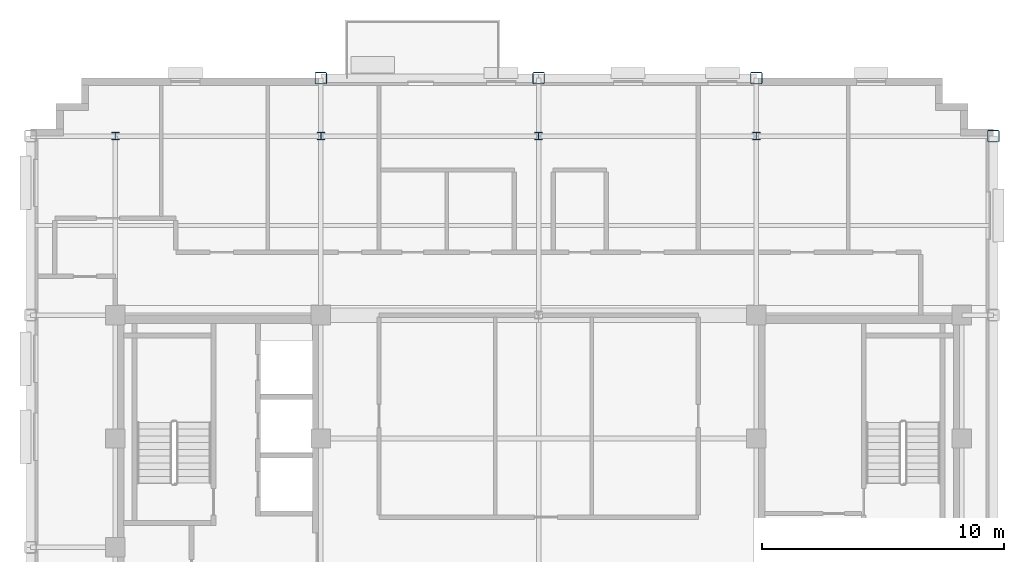
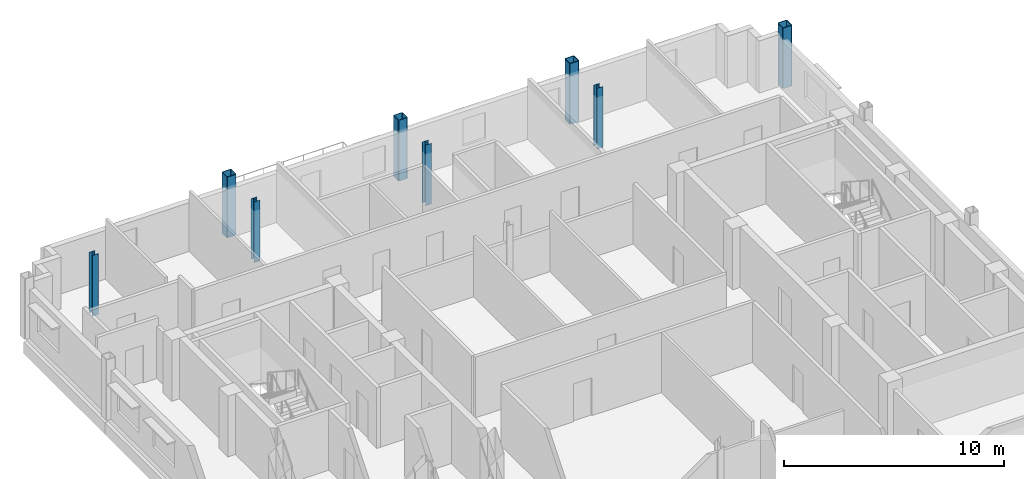
# One storey, part 3 of 14: 8 columns.
"""IFC4 building model written with IfcOpenShell, lengths in metres."""

from ifc_helpers import new_model, si_unit, direction, frame, origin, origin_2d, place, context, subcontext, project, spatial, hollow_rectangle, i_section, extrude, material, material_profile, profile_set, type_object, element, save


model = new_model("IFC4")

# Units and contexts
model_context = context("Model", 3, precision=1e-05, world=origin(), true_north=direction((0.0, 1.0)))
body_context = subcontext(model_context, "Body", "Model", "MODEL_VIEW")
ifc_project = project(units=[si_unit("LENGTHUNIT", "METRE"), si_unit("AREAUNIT", "SQUARE_METRE"), si_unit("VOLUMEUNIT", "CUBIC_METRE"), si_unit("PLANEANGLEUNIT", "RADIAN"), si_unit("MASSUNIT", "GRAM", prefix="KILO")], contexts=[model_context])

# Site, building, storey
site_placement = place(None, origin())
site = spatial("IfcSite", under=ifc_project, at=site_placement, CompositionType="ELEMENT")
building_placement = place(site_placement, origin())
building = spatial("IfcBuilding", under=site, at=building_placement, Name="Nuvemarco Arch Tower", CompositionType="ELEMENT")
storey_placement = place(building_placement, frame((0.0, 0.0, 268.89990234375)))
storey = spatial("IfcBuildingStorey", under=building, at=storey_placement, Name="L71", CompositionType="ELEMENT", Elevation=268.89990234375)

# Columns
ifc_material = material(Name="Steel S355", Category="steel")
ifc_material_profile_1 = material_profile(ifc_material, hollow_rectangle(XDim=0.5, YDim=0.5, WallThickness=0.031982421875, InnerFilletRadius=0.031982421875, OuterFilletRadius=0.06396484375, at=origin_2d()), Name="SHS500x500x32")
ifc_profile_set_1 = profile_set([ifc_material_profile_1], Name="Steel S355")
column_type_1 = type_object("IfcColumnType", Name="COL-EXO-500", PredefinedType="COLUMN", material=ifc_profile_set_1)
for number, where, z_axis, x_axis, name in (
    (1, (18.800048828125, 17.0, 0.0), (0.0, 0.0, 1.0), (1.0, 0.0, 0.0), "L71 column CX_+18.8_+17.0"),
    (2, (-9.0, 19.39990234375, 0.0), (0.0, 0.0, 1.0), (1.0, 0.0, 0.0), "L71 column CY_-9.0_+19.4"),
    (3, (0.0, 19.39990234375, 0.0), (0.0, 0.0, 1.0), (1.0, 0.0, 0.0), "L71 column CY_+0.0_+19.4"),
    (4, (9.0, 19.39990234375, 0.0), (0.0, 0.0, 1.0), (1.0, 0.0, 0.0), "L71 column CY_+9.0_+19.4"),
):
    element("IfcColumn", number, at=place(storey_placement, frame(where, z_axis=z_axis, x_axis=x_axis)), inside=storey, type_object=column_type_1, Name=name, PredefinedType="COLUMN", context=body_context, shape_type="SweptSolid", body=[
        extrude(hollow_rectangle(XDim=0.5, YDim=0.5, WallThickness=0.031982421875, InnerFilletRadius=0.031982421875, OuterFilletRadius=0.06396484375, at=origin_2d()), origin(), (0.0, 0.0, 1.0), 3.3701171875),
    ])
ifc_material_profile_2 = material_profile(ifc_material, i_section(OverallWidth=0.31005859375, OverallDepth=0.31005859375, WebThickness=0.015380859375, FlangeThickness=0.015380859375, FilletRadius=0.014892578125, at=origin_2d()), Name="HP310x110")
ifc_profile_set_2 = profile_set([ifc_material_profile_2], Name="Steel S355")
column_type_2 = type_object("IfcColumnType", Name="COL-STL-HP310", PredefinedType="COLUMN", material=ifc_profile_set_2)
for number, where, z_axis, x_axis, name in (
    (5, (0.0, 17.0, 0.0), (0.0, 0.0, 1.0), (1.0, 0.0, 0.0), "L71 column CI_+0.0_+17.0"),
    (6, (-17.5, 17.0, 0.0), (0.0, 0.0, 1.0), (1.0, 0.0, 0.0), "L71 column CI_-17.5_+17.0"),
    (7, (-9.0, 17.0, 0.0), (0.0, 0.0, 1.0), (1.0, 0.0, 0.0), "L71 column CI_-9.0_+17.0"),
    (8, (9.0, 17.0, 0.0), (0.0, 0.0, 1.0), (1.0, 0.0, 0.0), "L71 column CI_+9.0_+17.0"),
):
    element("IfcColumn", number, at=place(storey_placement, frame(where, z_axis=z_axis, x_axis=x_axis)), inside=storey, type_object=column_type_2, Name=name, PredefinedType="COLUMN", context=body_context, shape_type="SweptSolid", body=[
        extrude(i_section(OverallWidth=0.31005859375, OverallDepth=0.31005859375, WebThickness=0.015380859375, FlangeThickness=0.015380859375, FilletRadius=0.014892578125, at=origin_2d()), origin(), (0.0, 0.0, 1.0), 3.3701171875),
    ])

save(model, "model.ifc")
